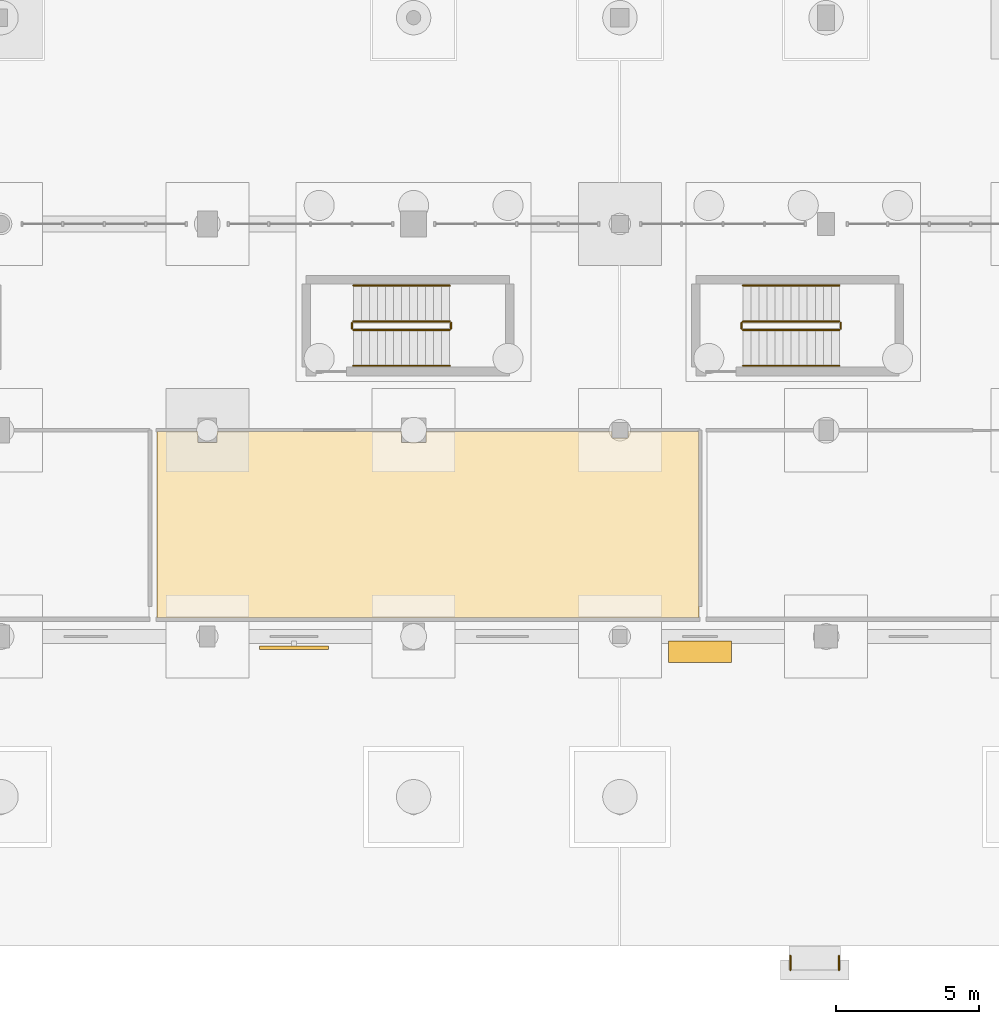
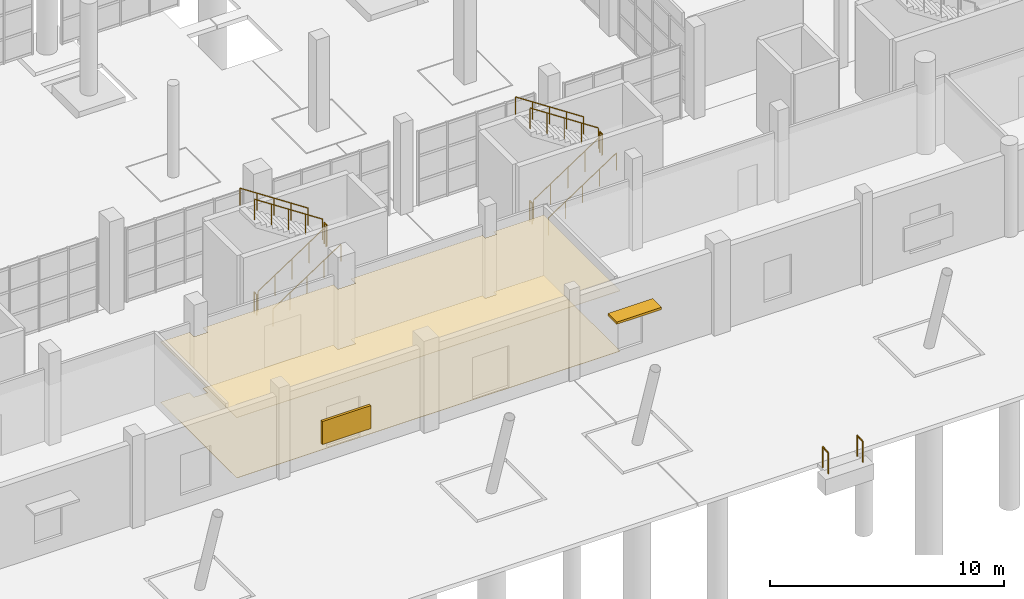
# One storey, part 277 of 285: 14 railings, 2 coverings, 2 shading devices.
"""IFC4 building model written with IfcOpenShell, lengths in metres."""

from ifc_helpers import new_model, si_unit, direction, frame, origin, origin_2d, place, context, subcontext, project, spatial, polyline, rectangle, circle, outline, extrude, material, layer, layer_set, type_object, element, save


model = new_model("IFC4")

# Units and contexts
model_context = context("Model", 3, precision=1e-05, world=origin(), true_north=direction((0.0, 1.0)))
body_context = subcontext(model_context, "Body", "Model", "MODEL_VIEW")
ifc_project = project(units=[si_unit("LENGTHUNIT", "METRE"), si_unit("AREAUNIT", "SQUARE_METRE"), si_unit("VOLUMEUNIT", "CUBIC_METRE"), si_unit("PLANEANGLEUNIT", "RADIAN"), si_unit("MASSUNIT", "GRAM", prefix="KILO")], contexts=[model_context])

# Site, building, storey
site_placement = place(None, origin())
site = spatial("IfcSite", under=ifc_project, at=site_placement, CompositionType="ELEMENT")
building_placement = place(site_placement, origin())
building = spatial("IfcBuilding", under=site, at=building_placement, Name="Solanera Park Tramway Depot", CompositionType="ELEMENT")
storey_placement = place(building_placement, origin())
storey = spatial("IfcBuildingStorey", under=building, at=storey_placement, Name="L00", CompositionType="ELEMENT", Elevation=0.0)

# Covering
ifc_material_1 = material(Name="Acoustic perforated plasterboard and mineral-fibre ceiling")
ifc_layer_1 = layer(ifc_material_1, 0.02001953125)
ifc_layer_set_1 = layer_set([ifc_layer_1], Name="Acoustic perforated plasterboard and mineral-fibre ceiling")
covering_type_1 = type_object("IfcCoveringType", Name="Acoustic Mineral-Fibre Ceiling 20", PredefinedType="CEILING", material=ifc_layer_set_1)
covering_1_placement = place(storey_placement, frame((0.0, 0.0, 3.14990234375)))
element("IfcCovering", 1, at=covering_1_placement, inside=storey, type_object=covering_type_1, Name="Driver Roll-Call and Briefing Hall Acoustic Ceiling", PredefinedType="CEILING", context=body_context, shape_type="SweptSolid", body=[
    extrude(outline(polyline([(136.471923828125, 17.9599609375), (136.471923828125, 17.572021484375), (137.1279296875, 17.572021484375), (137.1279296875, 17.9599609375), (143.572021484375, 17.9599609375), (143.572021484375, 17.572021484375), (144.427978515625, 17.572021484375), (144.427978515625, 17.9599609375), (150.922119140625, 17.9599609375), (150.922119140625, 17.721923828125), (151.47802734375, 17.721923828125), (151.47802734375, 17.9599609375), (153.9599609375, 17.9599609375), (153.9599609375, 11.43994140625), (135.0400390625, 11.43994140625), (135.0400390625, 17.9599609375), (136.471923828125, 17.9599609375)])), origin(), (0.0, 0.0, 1.0), 0.02001953125),
])

# Railings
ifc_material_2 = material(Name="Steel AS/NZS 1163 Grade C350L0", Category="steel")
ifc_layer_2 = layer(ifc_material_2, 0.050048828125)
ifc_layer_set_2 = layer_set([ifc_layer_2], Name="Steel AS/NZS 1163 Grade C350L0")
railing_type_1 = type_object("IfcRailingType", Name="External Ramp Guardrail 1100", PredefinedType="GUARDRAIL", material=ifc_layer_set_2)
for number, where, name in (
    (2, (157.14990234375, -0.840087890625, -0.06005859375), "Ramp Guardrail RMP-P03"),
    (3, (158.85009765625, -0.840087890625, -0.06005859375), "Ramp Guardrail RMP-P03"),
):
    element("IfcRailing", number, at=place(storey_placement, frame(where)), inside=storey, type_object=railing_type_1, Name=name, PredefinedType="GUARDRAIL", context=body_context, shape_type="SweptSolid", body=[
        extrude(circle(Radius=0.02392578125, at=origin_2d()), frame((0.0, 0.0, 1.076171875), z_axis=(0.0, 0.997435944579, 0.071564910822), x_axis=(-1.0, 0.0, 0.0)), (0.0, 0.0, 1.0), 0.4912109375),
        extrude(circle(Radius=0.02099609375, at=origin_2d()), origin(), (0.0, 0.0, 1.0), 1.052001953125),
        extrude(circle(Radius=0.02099609375, at=origin_2d()), frame((0.0, 0.489990234375, 0.03515625)), (0.0, 0.0, 1.0), 1.052001953125),
    ])
ifc_material_3 = material(Name="Brushed stainless steel 316 handrail", Category="steel")
ifc_layer_3 = layer(ifc_material_3, 0.050048828125)
ifc_layer_set_3 = layer_set([ifc_layer_3], Name="Brushed stainless steel 316 handrail")
railing_type_2 = type_object("IfcRailingType", Name="Stair Pitch Tubular Handrail 920", PredefinedType="HANDRAIL", material=ifc_layer_set_3)
railing_1_placement = place(storey_placement, frame((141.89990234375, 20.25, 0.1845703125)))
element("IfcRailing", 4, at=railing_1_placement, inside=storey, type_object=railing_type_2, Name="ST-02 L00 Pitch Handrail 1", PredefinedType="HANDRAIL", context=body_context, shape_type="SweptSolid", body=[
    extrude(circle(Radius=0.02392578125, at=origin_2d()), frame((0.0, 0.0, 0.89599609375), z_axis=(0.834876476806, 0.0, 0.550437342915), x_axis=(0.0, 1.0, 0.0)), (0.0, 0.0, 1.0), 4.024658203125),
    extrude(circle(Radius=0.02099609375, at=origin_2d()), origin(), (0.0, 0.0, 1.0), 0.871826171875),
    extrude(circle(Radius=0.02099609375, at=origin_2d()), frame((0.840087890625, 0.0, 0.5537109375)), (0.0, 0.0, 1.0), 0.871826171875),
    extrude(circle(Radius=0.02099609375, at=origin_2d()), frame((1.68017578125, 0.0, 1.107666015625)), (0.0, 0.0, 1.0), 0.871826171875),
    extrude(circle(Radius=0.02099609375, at=origin_2d()), frame((2.52001953125, 0.0, 1.66162109375)), (0.0, 0.0, 1.0), 0.871826171875),
    extrude(circle(Radius=0.02099609375, at=origin_2d()), frame((3.360107421875, 0.0, 2.21533203125)), (0.0, 0.0, 1.0), 0.871826171875),
])
railing_2_placement = place(storey_placement, frame((145.260009765625, 23.050048828125, 2.584716796875)))
element("IfcRailing", 5, at=railing_2_placement, inside=storey, type_object=railing_type_2, Name="ST-02 L00 Pitch Handrail 2", PredefinedType="HANDRAIL", context=body_context, shape_type="SweptSolid", body=[
    extrude(circle(Radius=0.02392578125, at=origin_2d()), frame((0.0, 0.0, 0.89599609375), z_axis=(-0.834876476806, 0.0, 0.550437342915), x_axis=(0.0, -1.0, 0.0)), (0.0, 0.0, 1.0), 4.024658203125),
    extrude(circle(Radius=0.02099609375, at=origin_2d()), origin(), (0.0, 0.0, 1.0), 0.871826171875),
    extrude(circle(Radius=0.02099609375, at=origin_2d()), frame((-0.840087890625, 0.0, 0.5537109375)), (0.0, 0.0, 1.0), 0.871826171875),
    extrude(circle(Radius=0.02099609375, at=origin_2d()), frame((-1.68017578125, 0.0, 1.107666015625)), (0.0, 0.0, 1.0), 0.871826171875),
    extrude(circle(Radius=0.02099609375, at=origin_2d()), frame((-2.52001953125, 0.0, 1.66162109375)), (0.0, 0.0, 1.0), 0.871826171875),
    extrude(circle(Radius=0.02099609375, at=origin_2d()), frame((-3.360107421875, 0.0, 2.21533203125)), (0.0, 0.0, 1.0), 0.871826171875),
])
railing_3_placement = place(storey_placement, frame((155.5, 20.25, 0.1845703125)))
element("IfcRailing", 6, at=railing_3_placement, inside=storey, type_object=railing_type_2, Name="ST-03 L00 Pitch Handrail 1", PredefinedType="HANDRAIL", context=body_context, shape_type="SweptSolid", body=[
    extrude(circle(Radius=0.02392578125, at=origin_2d()), frame((0.0, 0.0, 0.89599609375), z_axis=(0.834876476806, 0.0, 0.550437342915), x_axis=(0.0, 1.0, 0.0)), (0.0, 0.0, 1.0), 4.024658203125),
    extrude(circle(Radius=0.02099609375, at=origin_2d()), origin(), (0.0, 0.0, 1.0), 0.871826171875),
    extrude(circle(Radius=0.02099609375, at=origin_2d()), frame((0.840087890625, 0.0, 0.5537109375)), (0.0, 0.0, 1.0), 0.871826171875),
    extrude(circle(Radius=0.02099609375, at=origin_2d()), frame((1.68017578125, 0.0, 1.107666015625)), (0.0, 0.0, 1.0), 0.871826171875),
    extrude(circle(Radius=0.02099609375, at=origin_2d()), frame((2.52001953125, 0.0, 1.66162109375)), (0.0, 0.0, 1.0), 0.871826171875),
    extrude(circle(Radius=0.02099609375, at=origin_2d()), frame((3.360107421875, 0.0, 2.21533203125)), (0.0, 0.0, 1.0), 0.871826171875),
])
railing_4_placement = place(storey_placement, frame((158.860107421875, 23.050048828125, 2.584716796875)))
element("IfcRailing", 7, at=railing_4_placement, inside=storey, type_object=railing_type_2, Name="ST-03 L00 Pitch Handrail 2", PredefinedType="HANDRAIL", context=body_context, shape_type="SweptSolid", body=[
    extrude(circle(Radius=0.02392578125, at=origin_2d()), frame((0.0, 0.0, 0.89599609375), z_axis=(-0.834876476806, 0.0, 0.550437342915), x_axis=(0.0, -1.0, 0.0)), (0.0, 0.0, 1.0), 4.024658203125),
    extrude(circle(Radius=0.02099609375, at=origin_2d()), origin(), (0.0, 0.0, 1.0), 0.871826171875),
    extrude(circle(Radius=0.02099609375, at=origin_2d()), frame((-0.840087890625, 0.0, 0.5537109375)), (0.0, 0.0, 1.0), 0.871826171875),
    extrude(circle(Radius=0.02099609375, at=origin_2d()), frame((-1.68017578125, 0.0, 1.107666015625)), (0.0, 0.0, 1.0), 0.871826171875),
    extrude(circle(Radius=0.02099609375, at=origin_2d()), frame((-2.52001953125, 0.0, 1.66162109375)), (0.0, 0.0, 1.0), 0.871826171875),
    extrude(circle(Radius=0.02099609375, at=origin_2d()), frame((-3.360107421875, 0.0, 2.21533203125)), (0.0, 0.0, 1.0), 0.871826171875),
])
ifc_material_4 = material(Name="Steel AS/NZS 1163 Grade C350L0", Category="steel")
ifc_layer_4 = layer(ifc_material_4, 0.06005859375)
ifc_layer_set_4 = layer_set([ifc_layer_4], Name="Steel AS/NZS 1163 Grade C350L0")
railing_type_3 = type_object("IfcRailingType", Name="Stairwell Guardrail 1100", PredefinedType="GUARDRAIL", material=ifc_layer_set_4)
railing_5_placement = place(storey_placement, frame((141.89990234375, 21.5, 0.1845703125)))
element("IfcRailing", 8, at=railing_5_placement, inside=storey, type_object=railing_type_3, Name="ST-02 L00 Well Guard 1", PredefinedType="GUARDRAIL", context=body_context, shape_type="SweptSolid", body=[
    extrude(circle(Radius=0.02392578125, at=origin_2d()), frame((0.0, 0.0, 1.076171875), z_axis=(0.834876476806, 0.0, 0.550437342915), x_axis=(0.0, 1.0, 0.0)), (0.0, 0.0, 1.0), 4.024658203125),
    extrude(circle(Radius=0.02099609375, at=origin_2d()), origin(), (0.0, 0.0, 1.0), 1.052001953125),
    extrude(circle(Radius=0.02099609375, at=origin_2d()), frame((0.840087890625, 0.0, 0.5537109375)), (0.0, 0.0, 1.0), 1.052001953125),
    extrude(circle(Radius=0.02099609375, at=origin_2d()), frame((1.68017578125, 0.0, 1.107666015625)), (0.0, 0.0, 1.0), 1.052001953125),
    extrude(circle(Radius=0.02099609375, at=origin_2d()), frame((2.52001953125, 0.0, 1.66162109375)), (0.0, 0.0, 1.0), 1.052001953125),
    extrude(circle(Radius=0.02099609375, at=origin_2d()), frame((3.360107421875, 0.0, 2.21533203125)), (0.0, 0.0, 1.0), 1.052001953125),
])
railing_6_placement = place(storey_placement, frame((145.31005859375, 21.550048828125, 2.39990234375)))
element("IfcRailing", 9, at=railing_6_placement, inside=storey, type_object=railing_type_3, Name="ST-02 L00 Well Guard 2", PredefinedType="GUARDRAIL", context=body_context, shape_type="SweptSolid", body=[
    extrude(circle(Radius=0.02392578125, at=origin_2d()), frame((0.0, 0.0, 1.076171875), z_axis=(0.0, 1.0, 0.0), x_axis=(-1.0, 0.0, 0.0)), (0.0, 0.0, 1.0), 0.199951171875),
    extrude(circle(Radius=0.02099609375, at=origin_2d()), origin(), (0.0, 0.0, 1.0), 1.052001953125),
    extrude(circle(Radius=0.02099609375, at=origin_2d()), frame((0.0, 0.199951171875, 0.0)), (0.0, 0.0, 1.0), 1.052001953125),
])
railing_7_placement = place(storey_placement, frame((145.260009765625, 21.800048828125, 2.584716796875)))
element("IfcRailing", 10, at=railing_7_placement, inside=storey, type_object=railing_type_3, Name="ST-02 L00 Well Guard 3", PredefinedType="GUARDRAIL", context=body_context, shape_type="SweptSolid", body=[
    extrude(circle(Radius=0.02392578125, at=origin_2d()), frame((0.0, 0.0, 1.076171875), z_axis=(-0.834876476806, 0.0, 0.550437342915), x_axis=(0.0, -1.0, 0.0)), (0.0, 0.0, 1.0), 4.024658203125),
    extrude(circle(Radius=0.02099609375, at=origin_2d()), origin(), (0.0, 0.0, 1.0), 1.052001953125),
    extrude(circle(Radius=0.02099609375, at=origin_2d()), frame((-0.840087890625, 0.0, 0.5537109375)), (0.0, 0.0, 1.0), 1.052001953125),
    extrude(circle(Radius=0.02099609375, at=origin_2d()), frame((-1.68017578125, 0.0, 1.107666015625)), (0.0, 0.0, 1.0), 1.052001953125),
    extrude(circle(Radius=0.02099609375, at=origin_2d()), frame((-2.52001953125, 0.0, 1.66162109375)), (0.0, 0.0, 1.0), 1.052001953125),
    extrude(circle(Radius=0.02099609375, at=origin_2d()), frame((-3.360107421875, 0.0, 2.21533203125)), (0.0, 0.0, 1.0), 1.052001953125),
])
railing_8_placement = place(storey_placement, frame((141.85009765625, 21.550048828125, 0.0)))
element("IfcRailing", 11, at=railing_8_placement, inside=storey, type_object=railing_type_3, Name="ST-02 L00 Well Guard 4", PredefinedType="GUARDRAIL", context=body_context, shape_type="SweptSolid", body=[
    extrude(circle(Radius=0.02392578125, at=origin_2d()), frame((0.0, 0.0, 1.076171875), z_axis=(0.0, 1.0, 0.0), x_axis=(-1.0, 0.0, 0.0)), (0.0, 0.0, 1.0), 0.199951171875),
    extrude(circle(Radius=0.02099609375, at=origin_2d()), origin(), (0.0, 0.0, 1.0), 1.052001953125),
    extrude(circle(Radius=0.02099609375, at=origin_2d()), frame((0.0, 0.199951171875, 0.0)), (0.0, 0.0, 1.0), 1.052001953125),
])
railing_9_placement = place(storey_placement, frame((155.5, 21.5, 0.1845703125)))
element("IfcRailing", 12, at=railing_9_placement, inside=storey, type_object=railing_type_3, Name="ST-03 L00 Well Guard 1", PredefinedType="GUARDRAIL", context=body_context, shape_type="SweptSolid", body=[
    extrude(circle(Radius=0.02392578125, at=origin_2d()), frame((0.0, 0.0, 1.076171875), z_axis=(0.834876476806, 0.0, 0.550437342915), x_axis=(0.0, 1.0, 0.0)), (0.0, 0.0, 1.0), 4.024658203125),
    extrude(circle(Radius=0.02099609375, at=origin_2d()), origin(), (0.0, 0.0, 1.0), 1.052001953125),
    extrude(circle(Radius=0.02099609375, at=origin_2d()), frame((0.840087890625, 0.0, 0.5537109375)), (0.0, 0.0, 1.0), 1.052001953125),
    extrude(circle(Radius=0.02099609375, at=origin_2d()), frame((1.68017578125, 0.0, 1.107666015625)), (0.0, 0.0, 1.0), 1.052001953125),
    extrude(circle(Radius=0.02099609375, at=origin_2d()), frame((2.52001953125, 0.0, 1.66162109375)), (0.0, 0.0, 1.0), 1.052001953125),
    extrude(circle(Radius=0.02099609375, at=origin_2d()), frame((3.360107421875, 0.0, 2.21533203125)), (0.0, 0.0, 1.0), 1.052001953125),
])
railing_10_placement = place(storey_placement, frame((158.909912109375, 21.550048828125, 2.39990234375)))
element("IfcRailing", 13, at=railing_10_placement, inside=storey, type_object=railing_type_3, Name="ST-03 L00 Well Guard 2", PredefinedType="GUARDRAIL", context=body_context, shape_type="SweptSolid", body=[
    extrude(circle(Radius=0.02392578125, at=origin_2d()), frame((0.0, 0.0, 1.076171875), z_axis=(0.0, 1.0, 0.0), x_axis=(-1.0, 0.0, 0.0)), (0.0, 0.0, 1.0), 0.199951171875),
    extrude(circle(Radius=0.02099609375, at=origin_2d()), origin(), (0.0, 0.0, 1.0), 1.052001953125),
    extrude(circle(Radius=0.02099609375, at=origin_2d()), frame((0.0, 0.199951171875, 0.0)), (0.0, 0.0, 1.0), 1.052001953125),
])
railing_11_placement = place(storey_placement, frame((158.860107421875, 21.800048828125, 2.584716796875)))
element("IfcRailing", 14, at=railing_11_placement, inside=storey, type_object=railing_type_3, Name="ST-03 L00 Well Guard 3", PredefinedType="GUARDRAIL", context=body_context, shape_type="SweptSolid", body=[
    extrude(circle(Radius=0.02392578125, at=origin_2d()), frame((0.0, 0.0, 1.076171875), z_axis=(-0.834876476806, 0.0, 0.550437342915), x_axis=(0.0, -1.0, 0.0)), (0.0, 0.0, 1.0), 4.024658203125),
    extrude(circle(Radius=0.02099609375, at=origin_2d()), origin(), (0.0, 0.0, 1.0), 1.052001953125),
    extrude(circle(Radius=0.02099609375, at=origin_2d()), frame((-0.840087890625, 0.0, 0.5537109375)), (0.0, 0.0, 1.0), 1.052001953125),
    extrude(circle(Radius=0.02099609375, at=origin_2d()), frame((-1.68017578125, 0.0, 1.107666015625)), (0.0, 0.0, 1.0), 1.052001953125),
    extrude(circle(Radius=0.02099609375, at=origin_2d()), frame((-2.52001953125, 0.0, 1.66162109375)), (0.0, 0.0, 1.0), 1.052001953125),
    extrude(circle(Radius=0.02099609375, at=origin_2d()), frame((-3.360107421875, 0.0, 2.21533203125)), (0.0, 0.0, 1.0), 1.052001953125),
])
railing_12_placement = place(storey_placement, frame((155.449951171875, 21.550048828125, 0.0)))
element("IfcRailing", 15, at=railing_12_placement, inside=storey, type_object=railing_type_3, Name="ST-03 L00 Well Guard 4", PredefinedType="GUARDRAIL", context=body_context, shape_type="SweptSolid", body=[
    extrude(circle(Radius=0.02392578125, at=origin_2d()), frame((0.0, 0.0, 1.076171875), z_axis=(0.0, 1.0, 0.0), x_axis=(-1.0, 0.0, 0.0)), (0.0, 0.0, 1.0), 0.199951171875),
    extrude(circle(Radius=0.02099609375, at=origin_2d()), origin(), (0.0, 0.0, 1.0), 1.052001953125),
    extrude(circle(Radius=0.02099609375, at=origin_2d()), frame((0.0, 0.199951171875, 0.0)), (0.0, 0.0, 1.0), 1.052001953125),
])

# Shading device
ifc_material_5 = material(Name="Extruded terracotta brise-soleil hood", Category="masonry")
shading_device_type_1 = type_object("IfcShadingDeviceType", Name="Terracotta Brise-Soleil Sunshade Hood 2200x750", PredefinedType="USERDEFINED", material=ifc_material_5)
shading_device_1_placement = place(storey_placement, frame((154.0, 10.264892578125, 2.719970703125), z_axis=(0.0, 0.0, 1.0), x_axis=(1.0, 0.0, 0.0)))
element("IfcShadingDevice", 16, at=shading_device_1_placement, inside=storey, type_object=shading_device_type_1, Name="Terracotta Brise-Soleil Sunshade #019", ObjectType="SUNSHADE", PredefinedType="USERDEFINED", context=body_context, shape_type="SweptSolid", body=[
    extrude(rectangle(XDim=2.199951171875, YDim=0.75, at=origin_2d()), origin(), (0.0, 0.0, 1.0), 0.1201171875),
])

# Covering
ifc_material_6 = material(Name="Vitrified terracotta quarry floor tile", Category="masonry")
ifc_layer_5 = layer(ifc_material_6, 0.01806640625)
ifc_layer_set_5 = layer_set([ifc_layer_5], Name="Vitrified terracotta quarry floor tile")
covering_type_2 = type_object("IfcCoveringType", Name="Terracotta Quarry Tile Flooring 18", PredefinedType="FLOORING", material=ifc_layer_set_5)
covering_2_placement = place(storey_placement, origin())
element("IfcCovering", 17, at=covering_2_placement, inside=storey, type_object=covering_type_2, Name="Driver Roll-Call and Briefing Hall Floor Finish", PredefinedType="FLOORING", context=body_context, shape_type="SweptSolid", body=[
    extrude(outline(polyline([(136.469970703125, 17.9599609375), (136.469970703125, 17.570068359375), (137.1298828125, 17.570068359375), (137.1298828125, 17.9599609375), (143.570068359375, 17.9599609375), (143.570068359375, 17.570068359375), (144.429931640625, 17.570068359375), (144.429931640625, 17.9599609375), (150.919921875, 17.9599609375), (150.919921875, 17.719970703125), (151.47998046875, 17.719970703125), (151.47998046875, 17.9599609375), (153.9599609375, 17.9599609375), (153.9599609375, 11.43994140625), (135.0400390625, 11.43994140625), (135.0400390625, 17.9599609375), (136.469970703125, 17.9599609375)])), origin(), (0.0, 0.0, 1.0), 0.01806640625),
])

# Shading device
ifc_material_7 = material(Name="Powder-coated aluminium aerofoil louvre", Category="aluminium")
shading_device_type_2 = type_object("IfcShadingDeviceType", Name="Timber-Look Aluminium Jalousie Louvre 2400x1200", PredefinedType="JALOUSIE", material=ifc_material_7)
shading_device_2_placement = place(storey_placement, frame((139.824951171875, 10.39990234375, 1.169921875), z_axis=(0.0, 0.0, 1.0), x_axis=(1.0, 0.0, 0.0)))
element("IfcShadingDevice", 18, at=shading_device_2_placement, inside=storey, type_object=shading_device_type_2, Name="Jalousie Louvre Screen #018", PredefinedType="JALOUSIE", context=body_context, shape_type="SweptSolid", body=[
    extrude(rectangle(XDim=2.39990234375, YDim=0.1201171875, at=origin_2d()), origin(), (0.0, 0.0, 1.0), 1.199951171875),
])

save(model, "model.ifc")
